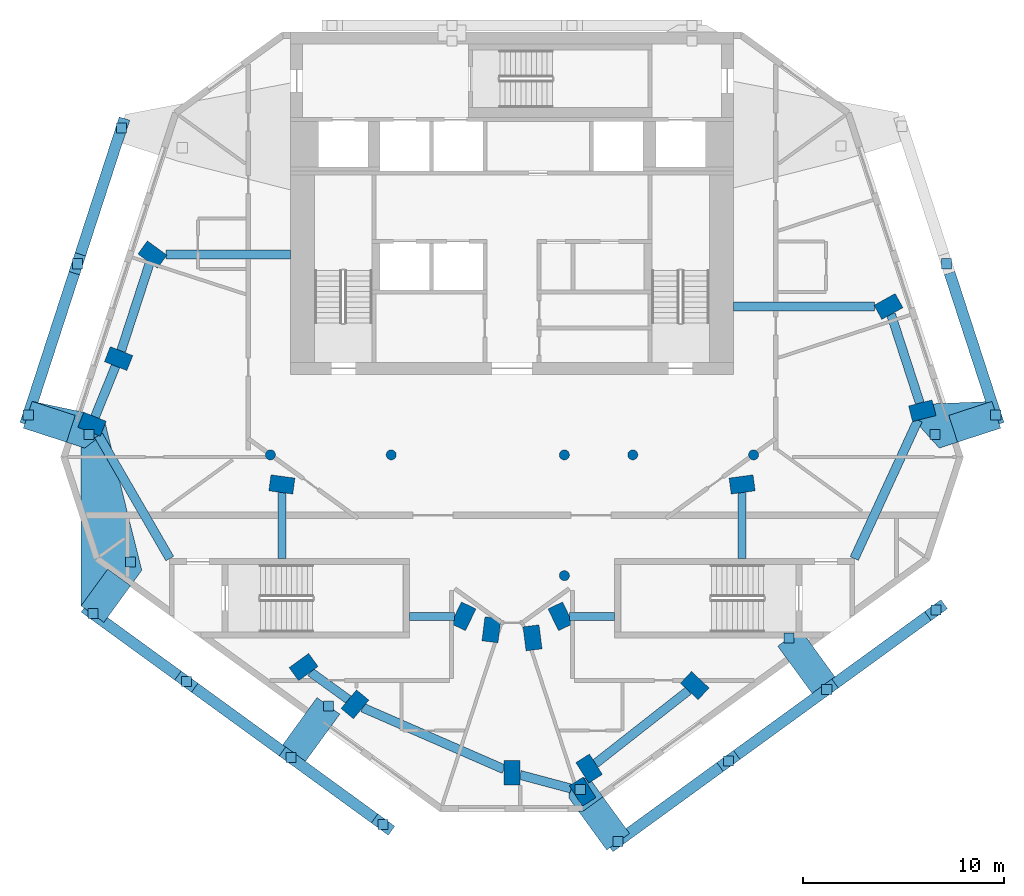
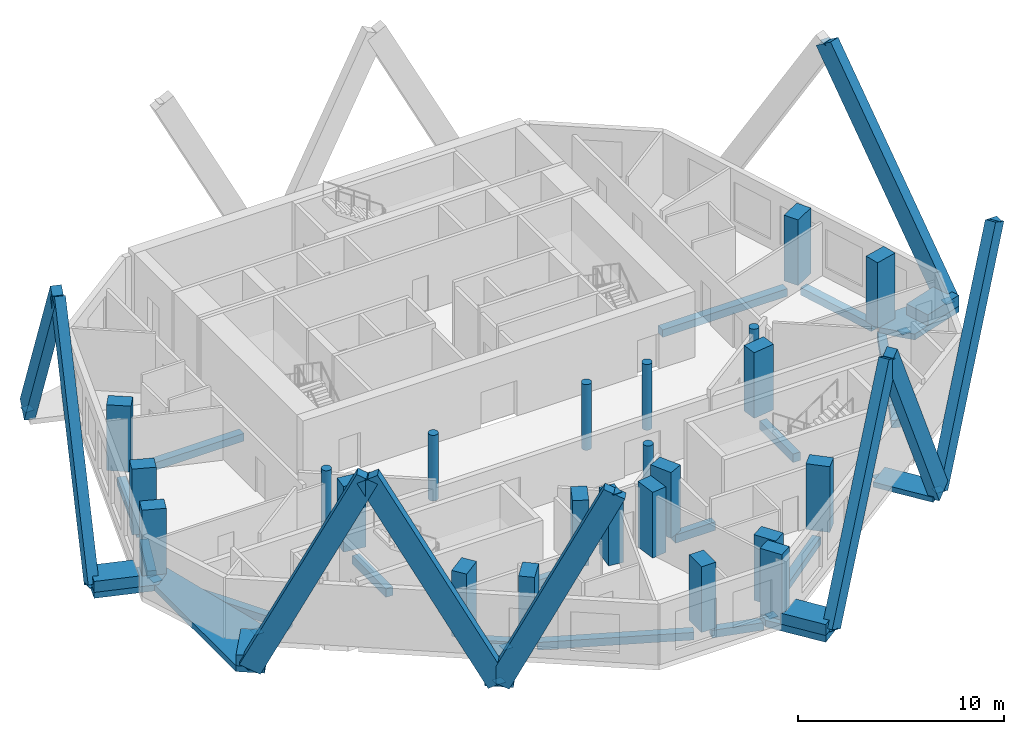
# One storey, part 1 of 8: 23 columns, 19 discrete accessories, 19 members, 15 beams.
"""IFC4 building model written with IfcOpenShell, lengths in metres."""

from ifc_helpers import new_model, si_unit, direction, frame, origin, origin_2d, place, context, subcontext, project, spatial, polyline, rectangle, circle, outline, extrude, material, layer, layer_set, material_profile, profile_set, type_object, element, aggregate, save


model = new_model("IFC4")

# Units and contexts
model_context = context("Model", 3, precision=1e-05, world=origin(), true_north=direction((0.0, 1.0)))
body_context = subcontext(model_context, "Body", "Model", "MODEL_VIEW")
ifc_project = project(units=[si_unit("LENGTHUNIT", "METRE"), si_unit("AREAUNIT", "SQUARE_METRE"), si_unit("VOLUMEUNIT", "CUBIC_METRE"), si_unit("PLANEANGLEUNIT", "RADIAN"), si_unit("MASSUNIT", "GRAM", prefix="KILO")], contexts=[model_context])

# Site, building, storey
site_placement = place(None, origin())
site = spatial("IfcSite", under=ifc_project, at=site_placement, CompositionType="ELEMENT")
building_placement = place(site_placement, origin())
building = spatial("IfcBuilding", under=site, at=building_placement, Name="White Candle Pilgrim Tower", CompositionType="ELEMENT")
storey_placement = place(building_placement, frame((0.0, 0.0, 306.10009765625)))
storey = spatial("IfcBuildingStorey", under=building, at=storey_placement, Name="L72", CompositionType="ELEMENT", Elevation=306.10009765625)

# Columns
ifc_material_1 = material(Name="Concrete C60/75", Category="concrete")
ifc_material_profile_1 = material_profile(ifc_material_1, circle(Radius=0.25, at=origin_2d()), Name="RC-COL D500")
ifc_profile_set_1 = profile_set([ifc_material_profile_1], Name="Concrete C60/75")
column_type_1 = type_object("IfcColumnType", Name="Interior column RC-COL D500 C60/75", PredefinedType="COLUMN", material=ifc_profile_set_1)
for number, where, z_axis, x_axis, name in (
    (1, (58.0, 67.0, 0.0), (0.0, 0.0, 1.0), (1.0, 0.0, 0.0), "L72 column I01"),
    (2, (64.0, 67.0, 0.0), (0.0, 0.0, 1.0), (1.0, 0.0, 0.0), "L72 column I02"),
    (3, (72.60009765625, 61.0, 0.0), (0.0, 0.0, 1.0), (1.0, 0.0, 0.0), "L72 column I03"),
    (4, (72.60009765625, 67.0, 0.0), (0.0, 0.0, 1.0), (1.0, 0.0, 0.0), "L72 column I04"),
    (5, (76.0, 67.0, 0.0), (0.0, 0.0, 1.0), (1.0, 0.0, 0.0), "L72 column I05"),
    (6, (82.0, 67.0, 0.0), (0.0, 0.0, 1.0), (1.0, 0.0, 0.0), "L72 column I06"),
):
    element("IfcColumn", number, at=place(storey_placement, frame(where, z_axis=z_axis, x_axis=x_axis)), inside=storey, type_object=column_type_1, Name=name, PredefinedType="COLUMN", context=body_context, shape_type="SweptSolid", body=[
        extrude(circle(Radius=0.25, at=origin_2d()), origin(), (0.0, 0.0, 1.0), 3.89990234375),
    ])
ifc_material_profile_2 = material_profile(ifc_material_1, rectangle(XDim=0.800048828125, YDim=1.199951171875, at=origin_2d()), Name="RC-PR 800x1200")
ifc_profile_set_2 = profile_set([ifc_material_profile_2], Name="Concrete C60/75")
column_type_2 = type_object("IfcColumnType", Name="Perimeter column RC-PR 800x1200 C60/75", PredefinedType="COLUMN", material=ifc_profile_set_2)
for number, where, z_axis, x_axis, name in (
    (7, (59.64990234375, 56.4599609375, 0.0), (0.0, 0.0, 1.0), (-0.58846280644, 0.808524288711, 0.0), "L72 column T01"),
    (8, (62.199951171875, 54.610107421875, 0.0), (0.0, 0.0, 1.0), (-0.769310358735, 0.638875239733, 0.0), "L72 column T02"),
    (9, (70.0, 51.2099609375, 0.0), (0.0, 0.0, 1.0), (-1.0, 0.0, 0.0), "L72 column T03"),
    (10, (73.510009765625, 50.27001953125, 0.0), (0.0, 0.0, 1.0), (-0.845317785834, -0.534263830848, 0.0), "L72 column T04"),
    (11, (73.830078125, 51.419921875, 0.0), (0.0, 0.0, 1.0), (-0.845317785834, -0.534263830848, 0.0), "L72 column T05"),
    (12, (79.080078125, 55.5400390625, 0.0), (0.0, 0.0, 1.0), (-0.681998360062, -0.731353701619, 0.0), "L72 column T06"),
    (13, (90.3798828125, 69.18994140625, 0.0), (0.0, 0.0, 1.0), (0.246880623275, -0.969045900797, 0.0), "L72 column T07"),
    (14, (88.699951171875, 74.3701171875, 0.0), (0.0, 0.0, 1.0), (0.484809620246, -0.874619707139, 0.0), "L72 column T08"),
    (15, (52.139892578125, 76.949951171875, 0.0), (0.0, 0.0, 1.0), (0.587107285614, 0.809509132239, 0.0), "L72 column T09"),
    (16, (50.4599609375, 71.780029296875, 0.0), (0.0, 0.0, 1.0), (0.369860269472, 0.929087391512, 0.0), "L72 column T10"),
    (17, (49.139892578125, 68.52001953125, 0.0), (0.0, 0.0, 1.0), (0.369860269472, 0.929087391512, 0.0), "L72 column T11"),
):
    element("IfcColumn", number, at=place(storey_placement, frame(where, z_axis=z_axis, x_axis=x_axis)), inside=storey, type_object=column_type_2, Name=name, PredefinedType="COLUMN", context=body_context, shape_type="SweptSolid", body=[
        extrude(rectangle(XDim=0.800048828125, YDim=1.199951171875, at=origin_2d()), origin(), (0.0, 0.0, 1.0), 3.89990234375),
    ])
ifc_material_profile_3 = material_profile(ifc_material_1, rectangle(XDim=0.800048828125, YDim=1.199951171875, at=origin_2d()), Name="RC-PR 800x1200")
ifc_profile_set_3 = profile_set([ifc_material_profile_3], Name="Concrete C60/75")
column_type_3 = type_object("IfcColumnType", Name="Ring column RC-PR 800x1200 C60/75", PredefinedType="COLUMN", material=ifc_profile_set_3)
for number, where, z_axis, x_axis, name in (
    (18, (67.590087890625, 58.97998046875, 0.0), (0.0, 0.0, 1.0), (-0.901689191761, 0.43238478403, 0.0), "L72 column R01"),
    (19, (68.97998046875, 58.31005859375, 0.0), (0.0, 0.0, 1.0), (-0.992092811428, 0.125506388335, 0.0), "L72 column R02"),
    (20, (71.02001953125, 57.909912109375, 0.0), (0.0, 0.0, 1.0), (-0.992092811428, -0.125506388335, 0.0), "L72 column R03"),
    (21, (72.409912109375, 58.97998046875, 0.0), (0.0, 0.0, 1.0), (-0.901689191761, -0.43238478403, 0.0), "L72 column R04"),
    (22, (81.429931640625, 65.530029296875, 0.0), (0.0, 0.0, 1.0), (0.132602381688, -0.991169313675, 0.0), "L72 column R05"),
    (23, (58.570068359375, 65.530029296875, 0.0), (0.0, 0.0, 1.0), (0.132602381688, 0.991169313675, 0.0), "L72 column R06"),
):
    element("IfcColumn", number, at=place(storey_placement, frame(where, z_axis=z_axis, x_axis=x_axis)), inside=storey, type_object=column_type_3, Name=name, PredefinedType="COLUMN", context=body_context, shape_type="SweptSolid", body=[
        extrude(rectangle(XDim=0.800048828125, YDim=1.199951171875, at=origin_2d()), origin(), (0.0, 0.0, 1.0), 3.89990234375),
    ])

# Member
ifc_material_2 = material(Name="Concrete C60/75, white", Category="concrete")
ifc_material_profile_4 = material_profile(ifc_material_2, rectangle(XDim=0.550048828125, YDim=1.14990234375, at=origin_2d()), Name="RC-DG 550x1150")
ifc_profile_set_4 = profile_set([ifc_material_profile_4], Name="Concrete C60/75, white")
member_type_1 = type_object("IfcMemberType", Name="Exoskeleton diagonal RC-DG 550x1150 C60/75", PredefinedType="BRACE", material=ifc_profile_set_4)
member_1_placement = place(storey_placement, frame((94.029052734375, 68.982421875, 0.0), z_axis=(-0.172871204036, 0.532069719834, 0.828865103651), x_axis=(-0.951061101079, -0.309002883506, 0.0)))
member_1 = element("IfcMember", 24, at=member_1_placement, inside=storey, type_object=member_type_1, Name="Exoskeleton diagonal EX299", PredefinedType="BRACE", context=body_context, shape_type="SweptSolid", body=[
    extrude(rectangle(XDim=0.550048828125, YDim=1.14990234375, at=origin_2d()), origin(), (0.0, 0.0, 1.0), 14.11572265625),
])

member_2_placement = place(storey_placement, frame((75.256591796875, 47.802490234375, 0.0), z_axis=(0.406140316606, 0.295099153839, 0.864850583991), x_axis=(-0.58781255391, 0.808997157885, 0.0)))
member_2 = element("IfcMember", 25, at=member_2_placement, inside=storey, type_object=member_type_1, Name="Exoskeleton diagonal EX303", PredefinedType="BRACE", context=body_context, shape_type="SweptSolid", body=[
    extrude(rectangle(XDim=0.550048828125, YDim=1.14990234375, at=origin_2d()), origin(), (0.0, 0.0, 1.0), 13.5283203125),
])

member_3_placement = place(storey_placement, frame((85.63330078125, 55.341796875, 0.0), z_axis=(-0.370866246697, -0.269442729186, 0.888740031027), x_axis=(0.58777472777, -0.809024640784, 0.0)))
member_3 = element("IfcMember", 26, at=member_3_placement, inside=storey, type_object=member_type_1, Name="Exoskeleton diagonal EX304", PredefinedType="BRACE", context=body_context, shape_type="SweptSolid", body=[
    extrude(rectangle(XDim=0.550048828125, YDim=1.14990234375, at=origin_2d()), origin(), (0.0, 0.0, 1.0), 13.16455078125),
])

member_4_placement = place(storey_placement, frame((85.63330078125, 55.341796875, 0.0), z_axis=(0.402537385089, 0.292450044106, 0.867431049311), x_axis=(-0.587771459427, 0.809027015299, 0.0)))
member_4 = element("IfcMember", 27, at=member_4_placement, inside=storey, type_object=member_type_1, Name="Exoskeleton diagonal EX305", PredefinedType="BRACE", context=body_context, shape_type="SweptSolid", body=[
    extrude(rectangle(XDim=0.550048828125, YDim=1.14990234375, at=origin_2d()), origin(), (0.0, 0.0, 1.0), 13.488037109375),
])

member_5_placement = place(storey_placement, frame((49.178466796875, 59.111328125, 0.0), z_axis=(0.356408042849, -0.258960621484, 0.89772640794), x_axis=(0.587807568074, 0.80900078054, 0.0)))
member_5 = element("IfcMember", 28, at=member_5_placement, inside=storey, type_object=member_type_1, Name="Exoskeleton diagonal EX309", PredefinedType="BRACE", context=body_context, shape_type="SweptSolid", body=[
    extrude(rectangle(XDim=0.550048828125, YDim=1.14990234375, at=origin_2d()), origin(), (0.0, 0.0, 1.0), 13.032958984375),
])

member_6_placement = place(storey_placement, frame((59.015869140625, 51.964111328125, 0.0), z_axis=(-0.389098864957, 0.282676629793, 0.876753098802), x_axis=(-0.587757703144, -0.809037009286, 0.0)))
member_6 = element("IfcMember", 29, at=member_6_placement, inside=storey, type_object=member_type_1, Name="Exoskeleton diagonal EX310", PredefinedType="BRACE", context=body_context, shape_type="SweptSolid", body=[
    extrude(rectangle(XDim=0.550048828125, YDim=1.14990234375, at=origin_2d()), origin(), (0.0, 0.0, 1.0), 13.3447265625),
])

member_7_placement = place(storey_placement, frame((59.015869140625, 51.964111328125, 0.0), z_axis=(0.352360705961, -0.256019852991, 0.90016430043), x_axis=(0.587807514668, 0.809000819344, 0.0)))
member_7 = element("IfcMember", 30, at=member_7_placement, inside=storey, type_object=member_type_1, Name="Exoskeleton diagonal EX311", PredefinedType="BRACE", context=body_context, shape_type="SweptSolid", body=[
    extrude(rectangle(XDim=0.550048828125, YDim=1.14990234375, at=origin_2d()), origin(), (0.0, 0.0, 1.0), 12.99755859375),
])

member_8_placement = place(storey_placement, frame((50.6015625, 83.23388671875, 0.14990234375), z_axis=(-0.161637833975, -0.497434488842, 0.852309884924), x_axis=(0.951050014403, -0.309037004426, 0.0)))
member_8 = element("IfcMember", 31, at=member_8_placement, inside=storey, type_object=member_type_1, Name="Exoskeleton diagonal EX315", PredefinedType="BRACE", context=body_context, shape_type="SweptSolid", body=[
    extrude(rectangle(XDim=0.550048828125, YDim=1.14990234375, at=origin_2d()), origin(), (0.0, 0.0, 1.0), 13.551513671875),
])

member_9_placement = place(storey_placement, frame((45.970947265625, 68.982421875, 0.0), z_axis=(0.172871204036, 0.532069719834, 0.828865103651), x_axis=(-0.951061101079, 0.309002883506, 0.0)))
member_9 = element("IfcMember", 32, at=member_9_placement, inside=storey, type_object=member_type_1, Name="Exoskeleton diagonal EX316", PredefinedType="BRACE", context=body_context, shape_type="SweptSolid", body=[
    extrude(rectangle(XDim=0.550048828125, YDim=1.14990234375, at=origin_2d()), origin(), (0.0, 0.0, 1.0), 14.11572265625),
])

ifc_material_3 = material(Name="Concrete C70/85, white", Category="concrete")
ifc_layer_1 = layer(ifc_material_3, 0.300048828125)
ifc_layer_set_1 = layer_set([ifc_layer_1], Name="Node tie strut 3200x1400x300 C70/85")
member_type_2 = type_object("IfcMemberType", Name="Node tie strut 3200x1400x300 C70/85", PredefinedType="STRUT", material=ifc_layer_set_1)
member_10_placement = place(storey_placement, frame((0.0, 0.0, -0.35009765625)))
member_10 = element("IfcMember", 33, at=member_10_placement, inside=storey, type_object=member_type_2, Name="Node tie strut NC249", PredefinedType="STRUT", context=body_context, shape_type="SweptSolid", body=[
    extrude(outline(polyline([(91.2255859375, 67.335693359375), (94.26904296875, 68.324462890625), (93.83642578125, 69.656005859375), (90.91162109375, 69.533203125), (91.060302734375, 68.950439453125), (90.007080078125, 68.68212890625), (91.2255859375, 67.335693359375)])), origin(), (0.0, 0.0, 1.0), 0.35009765625),
])

member_11_placement = place(storey_placement, origin())
element("IfcMember", 34, at=member_11_placement, inside=storey, type_object=member_type_2, Name="Node tie strut NC249", PredefinedType="STRUT", context=body_context, shape_type="SweptSolid", body=[
    extrude(outline(polyline([(92.129150390625, 67.629150390625), (94.26904296875, 68.324462890625), (93.83642578125, 69.656005859375), (91.696533203125, 68.960693359375), (92.129150390625, 67.629150390625)])), origin(), (0.0, 0.0, 1.0), 0.64990234375),
])

member_12_placement = place(storey_placement, frame((0.0, 0.0, -0.400146484375)))
member_12 = element("IfcMember", 35, at=member_12_placement, inside=storey, type_object=member_type_2, Name="Node tie strut NC253", PredefinedType="STRUT", context=body_context, shape_type="SweptSolid", body=[
    extrude(outline(polyline([(74.704833984375, 47.370849609375), (75.83740234375, 48.19384765625), (73.95654296875, 50.78271484375), (73.527587890625, 50.990966796875), (74.168701171875, 49.9765625), (73.492431640625, 49.549072265625), (72.851318359375, 50.5634765625), (72.823974609375, 49.959716796875), (74.704833984375, 47.370849609375)])), origin(), (0.0, 0.0, 1.0), 0.400146484375),
])

member_13_placement = place(storey_placement, origin())
element("IfcMember", 36, at=member_13_placement, inside=storey, type_object=member_type_2, Name="Node tie strut NC253", PredefinedType="STRUT", context=body_context, shape_type="SweptSolid", body=[
    extrude(outline(polyline([(74.704833984375, 47.370849609375), (75.83740234375, 48.19384765625), (74.514892578125, 50.01416015625), (73.557373046875, 49.318359375), (73.2900390625, 49.318359375), (74.704833984375, 47.370849609375)])), origin(), (0.0, 0.0, 1.0), 0.64990234375),
])

member_14_placement = place(storey_placement, frame((84.70751953125, 56.615966796875, -0.30029296875), z_axis=(0.0, 0.0, 1.0), x_axis=(0.809016994375, 0.587785252292, 0.0)))
member_14 = element("IfcMember", 37, at=member_14_placement, inside=storey, type_object=member_type_2, Name="Node tie strut NC254", PredefinedType="STRUT", context=body_context, shape_type="SweptSolid", body=[
    extrude(rectangle(XDim=1.39990234375, YDim=3.199951171875, at=origin_2d()), origin(), (0.0, 0.0, 1.0), 0.300048828125),
])

member_15_placement = place(storey_placement, frame((0.0, 0.0, -0.35009765625)))
member_15 = element("IfcMember", 38, at=member_15_placement, inside=storey, type_object=member_type_2, Name="Node tie strut NC255", PredefinedType="STRUT", context=body_context, shape_type="SweptSolid", body=[
    extrude(outline(polyline([(49.72998046875, 58.6796875), (51.61083984375, 61.2685546875), (49.80029296875, 68.556640625), (49.549560546875, 67.926513671875), (48.584716796875, 68.310546875), (48.597412109375, 59.50244140625), (49.72998046875, 58.6796875)])), origin(), (0.0, 0.0, 1.0), 0.35009765625),
])

member_16_placement = place(storey_placement, origin())
element("IfcMember", 39, at=member_16_placement, inside=storey, type_object=member_type_2, Name="Node tie strut NC255", PredefinedType="STRUT", context=body_context, shape_type="SweptSolid", body=[
    extrude(outline(polyline([(49.72998046875, 58.6796875), (51.052490234375, 60.5), (49.919921875, 61.32275390625), (48.597412109375, 59.50244140625), (49.72998046875, 58.6796875)])), origin(), (0.0, 0.0, 1.0), 0.64990234375),
])

member_17_placement = place(storey_placement, frame((59.94140625, 53.23828125, -0.30029296875), z_axis=(0.0, 0.0, 1.0), x_axis=(0.809016994375, -0.587785252292, 0.0)))
member_17 = element("IfcMember", 40, at=member_17_placement, inside=storey, type_object=member_type_2, Name="Node tie strut NC256", PredefinedType="STRUT", context=body_context, shape_type="SweptSolid", body=[
    extrude(rectangle(XDim=1.39990234375, YDim=3.199951171875, at=origin_2d()), origin(), (0.0, 0.0, 1.0), 0.300048828125),
])

member_18_placement = place(storey_placement, frame((0.0, 0.0, -0.35009765625)))
member_18 = element("IfcMember", 41, at=member_18_placement, inside=storey, type_object=member_type_2, Name="Node tie strut NC258", PredefinedType="STRUT", context=body_context, shape_type="SweptSolid", body=[
    extrude(outline(polyline([(48.7744140625, 67.335693359375), (49.549560546875, 67.926513671875), (48.4345703125, 68.370361328125), (48.73046875, 69.113525390625), (46.16357421875, 69.656005859375), (45.73095703125, 68.324462890625), (48.7744140625, 67.335693359375)])), origin(), (0.0, 0.0, 1.0), 0.35009765625),
])

member_19_placement = place(storey_placement, origin())
element("IfcMember", 42, at=member_19_placement, inside=storey, type_object=member_type_2, Name="Node tie strut NC258", PredefinedType="STRUT", context=body_context, shape_type="SweptSolid", body=[
    extrude(outline(polyline([(47.870849609375, 67.629150390625), (48.303466796875, 68.960693359375), (46.16357421875, 69.656005859375), (45.73095703125, 68.324462890625), (47.870849609375, 67.629150390625)])), origin(), (0.0, 0.0, 1.0), 0.64990234375),
])

# Beams
ifc_material_4 = material(Name="Concrete C50/60", Category="concrete")
ifc_material_profile_5 = material_profile(ifc_material_4, rectangle(XDim=0.39990234375, YDim=0.5, at=origin_2d()), Name="RC-BM 400x500")
ifc_profile_set_5 = profile_set([ifc_material_profile_5], Name="Concrete C50/60")
beam_type_1 = type_object("IfcBeamType", Name="Ring beam RC-BM 400x500 C50/60", PredefinedType="BEAM", material=ifc_profile_set_5)
beam_1_placement = place(storey_placement, frame((72.853515625, 58.97998046875, -0.550048828125), z_axis=(1.0, 0.0, 0.0), x_axis=(0.0, 1.0, 0.0)))
element("IfcBeam", 43, at=beam_1_placement, inside=storey, type_object=beam_type_1, Name="L72 ring beam R01", PredefinedType="BEAM", context=body_context, shape_type="SweptSolid", body=[
    extrude(rectangle(XDim=0.39990234375, YDim=0.5, at=origin_2d()), origin(), (0.0, 0.0, 1.0), 2.24658203125),
])
for number, where, z_axis, x_axis, name in (
    (44, (81.429931640625, 65.12646484375, -0.550048828125), (0.0, -1.0, 0.0), (1.0, 0.0, 0.0), "L72 ring beam R02"),
    (45, (58.570068359375, 65.12646484375, -0.550048828125), (0.0, -1.0, 0.0), (1.0, 0.0, 0.0), "L72 ring beam R03"),
):
    element("IfcBeam", number, at=place(storey_placement, frame(where, z_axis=z_axis, x_axis=x_axis)), inside=storey, type_object=beam_type_1, Name=name, PredefinedType="BEAM", context=body_context, shape_type="SweptSolid", body=[
        extrude(rectangle(XDim=0.39990234375, YDim=0.5, at=origin_2d()), origin(), (0.0, 0.0, 1.0), 3.2763671875),
    ])
beam_2_placement = place(storey_placement, frame((67.146484375, 58.97998046875, -0.550048828125), z_axis=(-1.0, 0.0, 0.0), x_axis=(0.0, -1.0, 0.0)))
element("IfcBeam", 46, at=beam_2_placement, inside=storey, type_object=beam_type_1, Name="L72 ring beam R04", PredefinedType="BEAM", context=body_context, shape_type="SweptSolid", body=[
    extrude(rectangle(XDim=0.39990234375, YDim=0.5, at=origin_2d()), origin(), (0.0, 0.0, 1.0), 2.24658203125),
])
ifc_material_profile_6 = material_profile(ifc_material_4, rectangle(XDim=0.449951171875, YDim=0.449951171875, at=origin_2d()), Name="RC-BM 450x450")
ifc_profile_set_6 = profile_set([ifc_material_profile_6], Name="Concrete C50/60")
beam_type_2 = type_object("IfcBeamType", Name="Spandrel beam RC-BM 450x450 C50/60", PredefinedType="BEAM", material=ifc_profile_set_6)
beam_3_placement = place(storey_placement, frame((59.990478515625, 56.212890625, -0.525146484375), z_axis=(0.809447251057, -0.58719259852, 0.0), x_axis=(0.58719259852, 0.809447251057, 0.0)))
element("IfcBeam", 47, at=beam_3_placement, inside=storey, type_object=beam_type_2, Name="L72 spandrel beam T01", PredefinedType="BEAM", context=body_context, shape_type="SweptSolid", body=[
    extrude(rectangle(XDim=0.449951171875, YDim=0.449951171875, at=origin_2d()), origin(), (0.0, 0.0, 1.0), 2.328857421875),
])
beam_4_placement = place(storey_placement, frame((62.581787109375, 54.443603515625, -0.525146484375), z_axis=(0.9167046502, -0.399565494382, 0.0), x_axis=(0.399565494382, 0.9167046502, 0.0)))
element("IfcBeam", 48, at=beam_4_placement, inside=storey, type_object=beam_type_2, Name="L72 spandrel beam T02", PredefinedType="BEAM", context=body_context, shape_type="SweptSolid", body=[
    extrude(rectangle(XDim=0.449951171875, YDim=0.449951171875, at=origin_2d()), origin(), (0.0, 0.0, 1.0), 7.656005859375),
])
beam_5_placement = place(storey_placement, frame((70.39990234375, 51.102783203125, -0.525146484375), z_axis=(0.965978702325, -0.258621628357, 0.0), x_axis=(0.258621628357, 0.965978702325, 0.0)))
element("IfcBeam", 49, at=beam_5_placement, inside=storey, type_object=beam_type_2, Name="L72 spandrel beam T03", PredefinedType="BEAM", context=body_context, shape_type="SweptSolid", body=[
    extrude(rectangle(XDim=0.449951171875, YDim=0.449951171875, at=origin_2d()), origin(), (0.0, 0.0, 1.0), 2.6298828125),
])
beam_6_placement = place(storey_placement, frame((74.146240234375, 51.668212890625, -0.525146484375), z_axis=(0.786684987555, 0.617354622851, 0.0), x_axis=(-0.617354622851, 0.786684987555, 0.0)))
element("IfcBeam", 50, at=beam_6_placement, inside=storey, type_object=beam_type_2, Name="L72 spandrel beam T04", PredefinedType="BEAM", context=body_context, shape_type="SweptSolid", body=[
    extrude(rectangle(XDim=0.449951171875, YDim=0.449951171875, at=origin_2d()), origin(), (0.0, 0.0, 1.0), 5.86669921875),
])
beam_7_placement = place(storey_placement, frame((90.164794921875, 68.722412109375, -0.525146484375), z_axis=(-0.418290677934, -0.908313221721, 0.0), x_axis=(0.908313221721, -0.418290677934, 0.0)))
element("IfcBeam", 51, at=beam_7_placement, inside=storey, type_object=beam_type_2, Name="L72 spandrel beam T05", PredefinedType="BEAM", context=body_context, shape_type="SweptSolid", body=[
    extrude(rectangle(XDim=0.449951171875, YDim=0.449951171875, at=origin_2d()), origin(), (0.0, 0.0, 1.0), 7.56591796875),
])
beam_8_placement = place(storey_placement, frame((90.25634765625, 69.5712890625, -0.525146484375), z_axis=(-0.308509847878, 0.951221148715, 0.0), x_axis=(-0.951221148715, -0.308509847878, 0.0)))
element("IfcBeam", 52, at=beam_8_placement, inside=storey, type_object=beam_type_2, Name="L72 spandrel beam T06", PredefinedType="BEAM", context=body_context, shape_type="SweptSolid", body=[
    extrude(rectangle(XDim=0.449951171875, YDim=0.449951171875, at=origin_2d()), origin(), (0.0, 0.0, 1.0), 4.637451171875),
])
beam_9_placement = place(storey_placement, frame((88.013916015625, 74.3701171875, -0.525146484375), z_axis=(-1.0, 0.0, 0.0), x_axis=(0.0, -1.0, 0.0)))
element("IfcBeam", 53, at=beam_9_placement, inside=storey, type_object=beam_type_2, Name="L72 spandrel beam T07", PredefinedType="BEAM", context=body_context, shape_type="SweptSolid", body=[
    extrude(rectangle(XDim=0.449951171875, YDim=0.449951171875, at=origin_2d()), origin(), (0.0, 0.0, 1.0), 7.013916015625),
])
beam_10_placement = place(storey_placement, frame((52.8212890625, 76.949951171875, -0.525146484375), z_axis=(1.0, 0.0, 0.0), x_axis=(0.0, 1.0, 0.0)))
element("IfcBeam", 54, at=beam_10_placement, inside=storey, type_object=beam_type_2, Name="L72 spandrel beam T08", PredefinedType="BEAM", context=body_context, shape_type="SweptSolid", body=[
    extrude(rectangle(XDim=0.449951171875, YDim=0.449951171875, at=origin_2d()), origin(), (0.0, 0.0, 1.0), 6.1787109375),
])
beam_11_placement = place(storey_placement, frame((52.010009765625, 76.550048828125, -0.525146484375), z_axis=(-0.309013100196, -0.951057781582, 0.0), x_axis=(0.951057781582, -0.309013100196, 0.0)))
element("IfcBeam", 55, at=beam_11_placement, inside=storey, type_object=beam_type_2, Name="L72 spandrel beam T09", PredefinedType="BEAM", context=body_context, shape_type="SweptSolid", body=[
    extrude(rectangle(XDim=0.449951171875, YDim=0.449951171875, at=origin_2d()), origin(), (0.0, 0.0, 1.0), 4.61474609375),
])
beam_12_placement = place(storey_placement, frame((50.309814453125, 71.4091796875, -0.525146484375), z_axis=(-0.375337979494, -0.926888019746, 0.0), x_axis=(0.926888019746, -0.375337979494, 0.0)))
element("IfcBeam", 56, at=beam_12_placement, inside=storey, type_object=beam_type_2, Name="L72 spandrel beam T10", PredefinedType="BEAM", context=body_context, shape_type="SweptSolid", body=[
    extrude(rectangle(XDim=0.449951171875, YDim=0.449951171875, at=origin_2d()), origin(), (0.0, 0.0, 1.0), 2.717041015625),
])
beam_13_placement = place(storey_placement, frame((49.463623046875, 67.960693359375, -0.525146484375), z_axis=(0.500894499263, -0.865508348087, 0.0), x_axis=(0.865508348087, 0.500894499263, 0.0)))
element("IfcBeam", 57, at=beam_13_placement, inside=storey, type_object=beam_type_2, Name="L72 spandrel beam T11", PredefinedType="BEAM", context=body_context, shape_type="SweptSolid", body=[
    extrude(rectangle(XDim=0.449951171875, YDim=0.449951171875, at=origin_2d()), origin(), (0.0, 0.0, 1.0), 7.06005859375),
])

# Discrete accessory
ifc_material_5 = material(Name="Steel S355", Category="steel")
ifc_layer_2 = layer(ifc_material_5, 0.02490234375)
ifc_layer_set_2 = layer_set([ifc_layer_2], Name="Gusset plate 500x500x25 S355")
discrete_accessory_type = type_object("IfcDiscreteAccessoryType", Name="Gusset plate 500x500x25 S355", PredefinedType="BRACKET", material=ifc_layer_set_2)
discrete_accessory_1_placement = place(storey_placement, frame((94.029052734375, 68.982421875, -0.012451171875), z_axis=(0.0, 0.0, 1.0), x_axis=(1.0, 0.0, 0.0)))
discrete_accessory_1 = element("IfcDiscreteAccessory", 58, at=discrete_accessory_1_placement, type_object=discrete_accessory_type, Name="Gusset plate 0354", PredefinedType="BRACKET", context=body_context, shape_type="SweptSolid", body=[
    extrude(rectangle(XDim=0.5, YDim=0.5, at=origin_2d()), origin(), (0.0, 0.0, 1.0), 0.02490234375),
])

placement = place(building_placement, frame((0.0, 0.0, 317.800048828125)))
discrete_accessory_2_placement = place(placement, frame((91.5888671875, 76.492919921875, -0.012451171875), z_axis=(0.0, 0.0, 1.0), x_axis=(1.0, 0.0, 0.0)))
discrete_accessory_2 = element("IfcDiscreteAccessory", 59, at=discrete_accessory_2_placement, type_object=discrete_accessory_type, Name="Gusset plate 0355", PredefinedType="BRACKET", context=body_context, shape_type="SweptSolid", body=[
    extrude(rectangle(XDim=0.5, YDim=0.5, at=origin_2d()), origin(), (0.0, 0.0, 1.0), 0.02490234375),
])

aggregate(member_1, [discrete_accessory_1, discrete_accessory_2])

discrete_accessory_3_placement = place(storey_placement, frame((75.256591796875, 47.802490234375, -0.012451171875), z_axis=(0.0, 0.0, 1.0), x_axis=(1.0, 0.0, 0.0)))
discrete_accessory_3 = element("IfcDiscreteAccessory", 60, at=discrete_accessory_3_placement, type_object=discrete_accessory_type, Name="Gusset plate 0360", PredefinedType="BRACKET", context=body_context, shape_type="SweptSolid", body=[
    extrude(rectangle(XDim=0.5, YDim=0.5, at=origin_2d()), origin(), (0.0, 0.0, 1.0), 0.02490234375),
])

discrete_accessory_4_placement = place(placement, frame((80.7509765625, 51.794677734375, -0.012451171875), z_axis=(0.0, 0.0, 1.0), x_axis=(1.0, 0.0, 0.0)))
discrete_accessory_4 = element("IfcDiscreteAccessory", 61, at=discrete_accessory_4_placement, type_object=discrete_accessory_type, Name="Gusset plate 0361", PredefinedType="BRACKET", context=body_context, shape_type="SweptSolid", body=[
    extrude(rectangle(XDim=0.5, YDim=0.5, at=origin_2d()), origin(), (0.0, 0.0, 1.0), 0.02490234375),
])

aggregate(member_2, [discrete_accessory_3, discrete_accessory_4])

discrete_accessory_5_placement = place(storey_placement, frame((85.63330078125, 55.341796875, -0.012451171875), z_axis=(0.0, 0.0, 1.0), x_axis=(1.0, 0.0, 0.0)))
discrete_accessory_5 = element("IfcDiscreteAccessory", 62, at=discrete_accessory_5_placement, type_object=discrete_accessory_type, Name="Gusset plate 0362", PredefinedType="BRACKET", context=body_context, shape_type="SweptSolid", body=[
    extrude(rectangle(XDim=0.5, YDim=0.5, at=origin_2d()), origin(), (0.0, 0.0, 1.0), 0.02490234375),
])

aggregate(member_3, [discrete_accessory_5])

discrete_accessory_6_placement = place(placement, frame((91.062744140625, 59.286376953125, -0.012451171875), z_axis=(0.0, 0.0, 1.0), x_axis=(1.0, 0.0, 0.0)))
discrete_accessory_6 = element("IfcDiscreteAccessory", 63, at=discrete_accessory_6_placement, type_object=discrete_accessory_type, Name="Gusset plate 0363", PredefinedType="BRACKET", context=body_context, shape_type="SweptSolid", body=[
    extrude(rectangle(XDim=0.5, YDim=0.5, at=origin_2d()), origin(), (0.0, 0.0, 1.0), 0.02490234375),
])

aggregate(member_4, [discrete_accessory_6])

discrete_accessory_7_placement = place(storey_placement, frame((49.178466796875, 59.111328125, -0.012451171875), z_axis=(0.0, 0.0, 1.0), x_axis=(1.0, 0.0, 0.0)))
discrete_accessory_7 = element("IfcDiscreteAccessory", 64, at=discrete_accessory_7_placement, type_object=discrete_accessory_type, Name="Gusset plate 0368", PredefinedType="BRACKET", context=body_context, shape_type="SweptSolid", body=[
    extrude(rectangle(XDim=0.5, YDim=0.5, at=origin_2d()), origin(), (0.0, 0.0, 1.0), 0.02490234375),
])

discrete_accessory_8_placement = place(placement, frame((53.823486328125, 55.736328125, -0.012451171875), z_axis=(0.0, 0.0, 1.0), x_axis=(1.0, 0.0, 0.0)))
discrete_accessory_8 = element("IfcDiscreteAccessory", 65, at=discrete_accessory_8_placement, type_object=discrete_accessory_type, Name="Gusset plate 0369", PredefinedType="BRACKET", context=body_context, shape_type="SweptSolid", body=[
    extrude(rectangle(XDim=0.5, YDim=0.5, at=origin_2d()), origin(), (0.0, 0.0, 1.0), 0.02490234375),
])

aggregate(member_5, [discrete_accessory_7, discrete_accessory_8])

discrete_accessory_9_placement = place(storey_placement, frame((59.015869140625, 51.964111328125, -0.012451171875), z_axis=(0.0, 0.0, 1.0), x_axis=(1.0, 0.0, 0.0)))
discrete_accessory_9 = element("IfcDiscreteAccessory", 66, at=discrete_accessory_9_placement, type_object=discrete_accessory_type, Name="Gusset plate 0370", PredefinedType="BRACKET", context=body_context, shape_type="SweptSolid", body=[
    extrude(rectangle(XDim=0.5, YDim=0.5, at=origin_2d()), origin(), (0.0, 0.0, 1.0), 0.02490234375),
])

aggregate(member_6, [discrete_accessory_9])

discrete_accessory_10_placement = place(placement, frame((63.595703125, 48.636474609375, -0.012451171875), z_axis=(0.0, 0.0, 1.0), x_axis=(1.0, 0.0, 0.0)))
discrete_accessory_10 = element("IfcDiscreteAccessory", 67, at=discrete_accessory_10_placement, type_object=discrete_accessory_type, Name="Gusset plate 0371", PredefinedType="BRACKET", context=body_context, shape_type="SweptSolid", body=[
    extrude(rectangle(XDim=0.5, YDim=0.5, at=origin_2d()), origin(), (0.0, 0.0, 1.0), 0.02490234375),
])

aggregate(member_7, [discrete_accessory_10])

discrete_accessory_11_placement = place(storey_placement, frame((50.6015625, 83.23388671875, 0.137451171875), z_axis=(0.0, 0.0, 1.0), x_axis=(1.0, 0.0, 0.0)))
discrete_accessory_11 = element("IfcDiscreteAccessory", 68, at=discrete_accessory_11_placement, type_object=discrete_accessory_type, Name="Gusset plate 0376", PredefinedType="BRACKET", context=body_context, shape_type="SweptSolid", body=[
    extrude(rectangle(XDim=0.5, YDim=0.5, at=origin_2d()), origin(), (0.0, 0.0, 1.0), 0.02490234375),
])

discrete_accessory_12_placement = place(placement, frame((48.4111328125, 76.492919921875, -0.012451171875), z_axis=(0.0, 0.0, 1.0), x_axis=(1.0, 0.0, 0.0)))
discrete_accessory_12 = element("IfcDiscreteAccessory", 69, at=discrete_accessory_12_placement, type_object=discrete_accessory_type, Name="Gusset plate 0377", PredefinedType="BRACKET", context=body_context, shape_type="SweptSolid", body=[
    extrude(rectangle(XDim=0.5, YDim=0.5, at=origin_2d()), origin(), (0.0, 0.0, 1.0), 0.02490234375),
])

aggregate(member_8, [discrete_accessory_11, discrete_accessory_12])

discrete_accessory_13_placement = place(storey_placement, frame((45.970947265625, 68.982421875, -0.012451171875), z_axis=(0.0, 0.0, 1.0), x_axis=(1.0, 0.0, 0.0)))
discrete_accessory_13 = element("IfcDiscreteAccessory", 70, at=discrete_accessory_13_placement, type_object=discrete_accessory_type, Name="Gusset plate 0378", PredefinedType="BRACKET", context=body_context, shape_type="SweptSolid", body=[
    extrude(rectangle(XDim=0.5, YDim=0.5, at=origin_2d()), origin(), (0.0, 0.0, 1.0), 0.02490234375),
])

aggregate(member_9, [discrete_accessory_13])

discrete_accessory_14_placement = place(storey_placement, frame((91.009521484375, 68.00146484375, -0.16259765625), z_axis=(0.0, 0.0, 1.0), x_axis=(1.0, 0.0, 0.0)))
discrete_accessory_14 = element("IfcDiscreteAccessory", 71, at=discrete_accessory_14_placement, type_object=discrete_accessory_type, Name="Gusset plate 0630", PredefinedType="BRACKET", context=body_context, shape_type="SweptSolid", body=[
    extrude(rectangle(XDim=0.5, YDim=0.5, at=origin_2d()), origin(), (0.0, 0.0, 1.0), 0.02490234375),
])

aggregate(member_10, [discrete_accessory_14])

discrete_accessory_15_placement = place(storey_placement, frame((73.39013671875, 50.37109375, -0.16259765625), z_axis=(0.0, 0.0, 1.0), x_axis=(1.0, 0.0, 0.0)))
discrete_accessory_15 = element("IfcDiscreteAccessory", 72, at=discrete_accessory_15_placement, type_object=discrete_accessory_type, Name="Gusset plate 0634", PredefinedType="BRACKET", context=body_context, shape_type="SweptSolid", body=[
    extrude(rectangle(XDim=0.5, YDim=0.5, at=origin_2d()), origin(), (0.0, 0.0, 1.0), 0.02490234375),
])

aggregate(member_12, [discrete_accessory_15])

discrete_accessory_16_placement = place(storey_placement, frame((83.76708984375, 57.910400390625, -0.16259765625), z_axis=(0.0, 0.0, 1.0), x_axis=(1.0, 0.0, 0.0)))
discrete_accessory_16 = element("IfcDiscreteAccessory", 73, at=discrete_accessory_16_placement, type_object=discrete_accessory_type, Name="Gusset plate 0635", PredefinedType="BRACKET", context=body_context, shape_type="SweptSolid", body=[
    extrude(rectangle(XDim=0.5, YDim=0.5, at=origin_2d()), origin(), (0.0, 0.0, 1.0), 0.02490234375),
])

aggregate(member_14, [discrete_accessory_16])

discrete_accessory_17_placement = place(storey_placement, frame((51.044677734375, 61.679931640625, -0.16259765625), z_axis=(0.0, 0.0, 1.0), x_axis=(1.0, 0.0, 0.0)))
discrete_accessory_17 = element("IfcDiscreteAccessory", 74, at=discrete_accessory_17_placement, type_object=discrete_accessory_type, Name="Gusset plate 0636", PredefinedType="BRACKET", context=body_context, shape_type="SweptSolid", body=[
    extrude(rectangle(XDim=0.5, YDim=0.5, at=origin_2d()), origin(), (0.0, 0.0, 1.0), 0.02490234375),
])

aggregate(member_15, [discrete_accessory_17])

discrete_accessory_18_placement = place(storey_placement, frame((60.882080078125, 54.53271484375, -0.16259765625), z_axis=(0.0, 0.0, 1.0), x_axis=(1.0, 0.0, 0.0)))
discrete_accessory_18 = element("IfcDiscreteAccessory", 75, at=discrete_accessory_18_placement, type_object=discrete_accessory_type, Name="Gusset plate 0637", PredefinedType="BRACKET", context=body_context, shape_type="SweptSolid", body=[
    extrude(rectangle(XDim=0.5, YDim=0.5, at=origin_2d()), origin(), (0.0, 0.0, 1.0), 0.02490234375),
])

aggregate(member_17, [discrete_accessory_18])

discrete_accessory_19_placement = place(storey_placement, frame((48.990478515625, 68.00146484375, -0.16259765625), z_axis=(0.0, 0.0, 1.0), x_axis=(1.0, 0.0, 0.0)))
discrete_accessory_19 = element("IfcDiscreteAccessory", 76, at=discrete_accessory_19_placement, type_object=discrete_accessory_type, Name="Gusset plate 0639", PredefinedType="BRACKET", context=body_context, shape_type="SweptSolid", body=[
    extrude(rectangle(XDim=0.5, YDim=0.5, at=origin_2d()), origin(), (0.0, 0.0, 1.0), 0.02490234375),
])

aggregate(member_18, [discrete_accessory_19])

save(model, "model.ifc")
